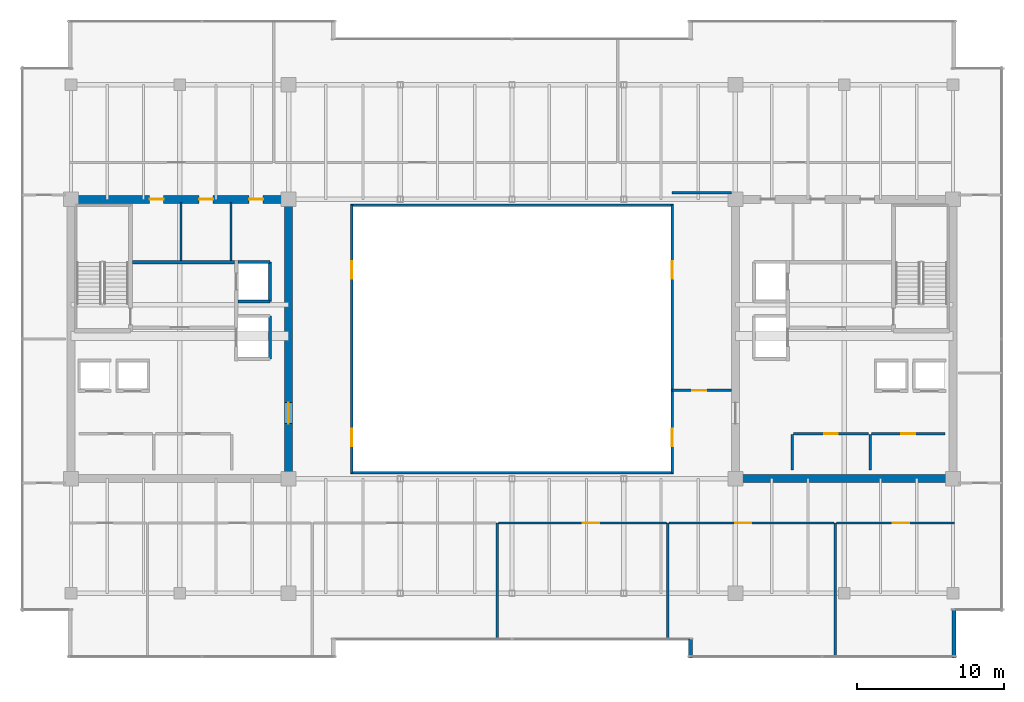
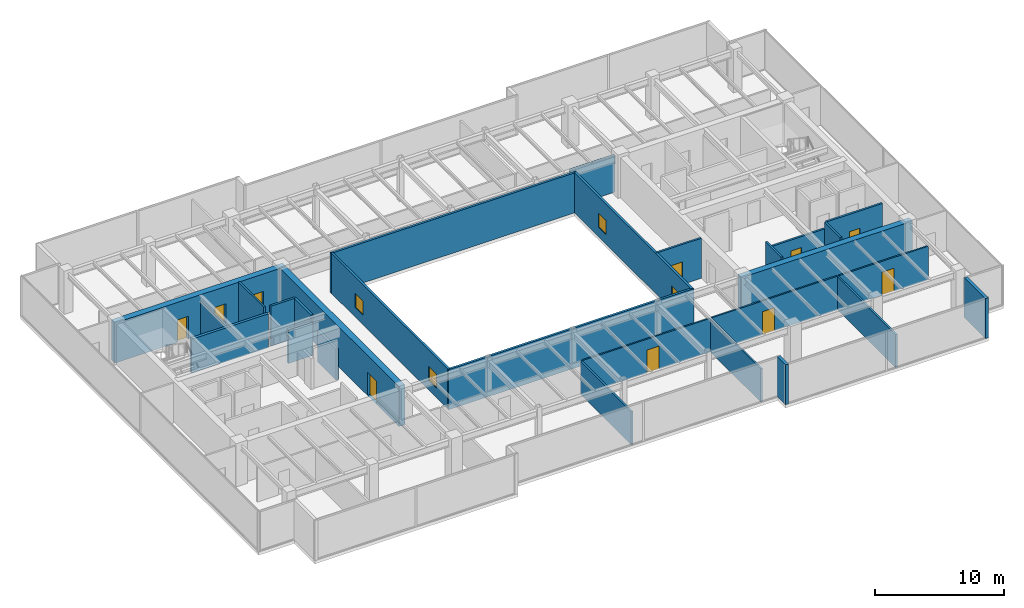
# One storey, part 29 of 33: 28 walls, 10 doors, 4 windows, 14 openings.
"""IFC4 building model written with IfcOpenShell, lengths in metres."""

from ifc_helpers import new_model, si_unit, direction, frame, frame_2d, origin, place, context, subcontext, project, spatial, rectangle, extrude, source, transform, mapped, material, layer, layer_set, type_object, type_shapes, element, fill, save


model = new_model("IFC4")

# Units and contexts
model_context = context("Model", 3, precision=1e-05, world=origin(), true_north=direction((0.0, 1.0)))
body_context = subcontext(model_context, "Body", "Model", "MODEL_VIEW")
ifc_project = project(units=[si_unit("LENGTHUNIT", "METRE"), si_unit("AREAUNIT", "SQUARE_METRE"), si_unit("VOLUMEUNIT", "CUBIC_METRE"), si_unit("PLANEANGLEUNIT", "RADIAN"), si_unit("MASSUNIT", "GRAM", prefix="KILO")], contexts=[model_context])

# Site, building, storey
site_placement = place(None, origin())
site = spatial("IfcSite", under=ifc_project, at=site_placement, CompositionType="ELEMENT")
building_placement = place(site_placement, origin())
building = spatial("IfcBuilding", under=site, at=building_placement, Name="Haelvirn Gate Laboratories", CompositionType="ELEMENT")
storey_placement = place(building_placement, frame((0.0, 0.0, 238.300048828125)))
storey = spatial("IfcBuildingStorey", under=building, at=storey_placement, Name="L57", CompositionType="ELEMENT", Elevation=238.300048828125)

# Walls
ifc_material_1 = material(Name="Thermally-broken bronze aluminium rainscreen & mineral wool", Category="aluminium")
ifc_layer_1 = layer(ifc_material_1, 0.280029296875, Name="EW-TERR-280")
ifc_layer_set_1 = layer_set([ifc_layer_1], Name="Thermally-broken bronze aluminium rainscreen & mineral wool")
wall_type_1 = type_object("IfcWallType", Name="EW-TERR-280", PredefinedType="STANDARD", material=ifc_layer_set_1)
wall_1_placement = place(storey_placement, frame((49.5400390625, 3.89306640625, 0.0), z_axis=(0.0, 0.0, 1.0), x_axis=(0.0, -1.0, 0.0)))
element("IfcWall", 1, at=wall_1_placement, inside=storey, type_object=wall_type_1, Name="L57 Atrium Recess Bronze Return Wall 03", PredefinedType="STANDARD", context=body_context, shape_type="SweptSolid", body=[
    extrude(rectangle(XDim=1.29296875, YDim=0.280029296875, at=frame_2d((0.646484375, 0.0))), origin(), (0.0, 0.0, 1.0), 3.800048828125),
])
wall_2_placement = place(storey_placement, frame((67.4599609375, 2.60009765625, 0.0), z_axis=(0.0, 0.0, 1.0), x_axis=(0.0, 1.0, 0.0)))
element("IfcWall", 2, at=wall_2_placement, inside=storey, type_object=wall_type_1, Name="L57 Atrium Recess Bronze Return Wall 05", PredefinedType="STANDARD", context=body_context, shape_type="SweptSolid", body=[
    extrude(rectangle(XDim=3.287841796875, YDim=0.280029296875, at=frame_2d((1.64404296875, 0.0))), origin(), (0.0, 0.0, 1.0), 3.800048828125),
])
ifc_material_2 = material(Name="Double-layer acoustic gypsum laboratory partition", Category="gypsum")
ifc_layer_2 = layer(ifc_material_2, 0.159912109375, Name="IW-ACOUST-160")
ifc_layer_set_2 = layer_set([ifc_layer_2], Name="Double-layer acoustic gypsum laboratory partition")
wall_type_2 = type_object("IfcWallType", Name="IW-ACOUST-160", PredefinedType="PARTITIONING", material=ifc_layer_set_2)
for number, where, z_axis, x_axis, name in (
    (3, (36.39990234375, 3.909912109375, 0.0), (0.0, 0.0, 1.0), (0.0, 1.0, 0.0), "L57 Interior Wall IW-L57-SDIV-03"),
    (4, (48.0, 3.909912109375, 0.0), (0.0, 0.0, 1.0), (0.0, 1.0, 0.0), "L57 Interior Wall IW-L57-SDIV-04"),
):
    element("IfcWall", number, at=place(storey_placement, frame(where, z_axis=z_axis, x_axis=x_axis)), inside=storey, type_object=wall_type_2, Name=name, PredefinedType="PARTITIONING", context=body_context, shape_type="SweptSolid", body=[
        extrude(rectangle(XDim=7.880126953125, YDim=0.159912109375, at=frame_2d((3.93994140625, 0.0))), origin(), (0.0, 0.0, 1.0), 3.135009765625),
    ])
wall_3_placement = place(storey_placement, frame((59.39990234375, 2.7099609375, 0.0), z_axis=(0.0, 0.0, 1.0), x_axis=(0.0, 1.0, 0.0)))
element("IfcWall", 5, at=wall_3_placement, inside=storey, type_object=wall_type_2, Name="L57 Interior Wall IW-L57-SDIV-05", PredefinedType="PARTITIONING", context=body_context, shape_type="SweptSolid", body=[
    extrude(rectangle(XDim=9.080078125, YDim=0.159912109375, at=frame_2d((4.5400390625, 0.0))), origin(), (0.0, 0.0, 1.0), 3.135009765625),
])
ifc_material_3 = material(Name="Fire-rated acoustic gypsum board partition", Category="gypsum")
ifc_layer_3 = layer(ifc_material_3, 0.175048828125, Name="IW-ACOUST-180")
ifc_layer_set_3 = layer_set([ifc_layer_3], Name="Fire-rated acoustic gypsum board partition")
wall_type_3 = type_object("IfcWallType", Name="IW-ACOUST-180", PredefinedType="PARTITIONING", material=ifc_layer_set_3)
wall_4_placement = place(storey_placement, frame((48.300048828125, 34.260009765625, 0.0), z_axis=(0.0, 0.0, 1.0), x_axis=(1.0, 0.0, 0.0)))
element("IfcWall", 6, at=wall_4_placement, inside=storey, type_object=wall_type_3, Name="L57 Interior Wall IW-L57-EPOD-N", PredefinedType="PARTITIONING", context=body_context, shape_type="SweptSolid", body=[
    extrude(rectangle(XDim=4.02490234375, YDim=0.175048828125, at=frame_2d((2.012451171875, 0.0))), origin(), (0.0, 0.0, 1.0), 3.48486328125),
])

# Wall, opening, door
wall_5_placement = place(storey_placement, frame((48.300048828125, 20.800048828125, 0.0), z_axis=(0.0, 0.0, 1.0), x_axis=(1.0, 0.0, 0.0)))
wall_5 = element("IfcWall", 7, at=wall_5_placement, inside=storey, type_object=wall_type_3, Name="L57 Interior Wall IW-L57-EPOD-S", PredefinedType="PARTITIONING", context=body_context, shape_type="SweptSolid", body=[
    extrude(rectangle(XDim=4.02490234375, YDim=0.175048828125, at=frame_2d((2.012451171875, 0.0))), origin(), (0.0, 0.0, 1.0), 3.800048828125),
])
opening_1_placement = place(wall_5_placement, frame((1.35009765625, 0.0, 0.0)))
opening_1 = element("IfcOpeningElement", 8, at=opening_1_placement, cuts=wall_5, Name="Opening FD4", PredefinedType="OPENING", context=body_context, shape_type="SweptSolid", body=[
    extrude(rectangle(XDim=0.949951171875, YDim=2.14990234375, at=frame_2d((0.47509765625, 1.074951171875))), frame((0.0, 0.09765625, 0.0), z_axis=(0.0, -1.0, 0.0), x_axis=(1.0, 0.0, 0.0)), (0.0, 0.0, 1.0), 0.195068359375),
])
ifc_material_4 = material(Name="Fire-rated steel SM355 core service door", Category="steel")
door_type_1 = type_object("IfcDoorType", Name="DR-FD-950", OperationType="NOTDEFINED", PredefinedType="DOOR", material=ifc_material_4)
shared_shape_1 = source(origin(), body_context, "Body", "SweptSolid", [
    extrude(rectangle(XDim=0.949951171875, YDim=2.14990234375, at=frame_2d((0.47509765625, 1.074951171875))), frame((0.0, 0.02490234375, 0.0), z_axis=(0.0, -1.0, 0.0), x_axis=(1.0, 0.0, 0.0)), (0.0, 0.0, 1.0), 0.050048828125),
])
type_shapes(door_type_1, [shared_shape_1])
door_1_placement = place(opening_1_placement, origin())
door_1 = element("IfcDoor", 9, at=door_1_placement, inside=storey, type_object=door_type_1, Name="L57 High-Zone Collaboration Suite Door", OperationType="SINGLE_SWING_LEFT", OverallHeight=2.14990234375, OverallWidth=0.949951171875, PredefinedType="DOOR", context=body_context, shape_type="MappedRepresentation", body=[
    mapped(shared_shape_1, transform((0.0, 0.0, 0.0), scale=1.0)),
])
fill(opening_1, door_1)

# Wall, openings, windows
ifc_material_5 = material(Name="Tempered fire-rated borosilicate glass & anodised aluminium", Category="aluminium")
ifc_layer_4 = layer(ifc_material_5, 0.195068359375, Name="IW-GLAZ-200")
ifc_layer_set_4 = layer_set([ifc_layer_4], Name="Tempered fire-rated borosilicate glass & anodised aluminium")
wall_type_4 = type_object("IfcWallType", Name="IW-GLAZ-200", PredefinedType="SOLIDWALL", material=ifc_layer_set_4)
wall_6_placement = place(storey_placement, frame((26.5, 15.199951171875, 0.0), z_axis=(0.0, 0.0, 1.0), x_axis=(0.0, 1.0, 0.0)))
wall_6 = element("IfcWall", 10, at=wall_6_placement, inside=storey, type_object=wall_type_4, Name="L57 Interior Wall IW-L57-ATRIUM-W", PredefinedType="SOLIDWALL", context=body_context, shape_type="SweptSolid", body=[
    extrude(rectangle(XDim=18.199951171875, YDim=0.195068359375, at=frame_2d((9.10009765625, 0.0))), origin(), (0.0, 0.0, 1.0), 3.800048828125),
])
opening_2_placement = place(wall_6_placement, frame((1.800048828125, 0.0, 0.89990234375)))
opening_2 = element("IfcOpeningElement", 11, at=opening_2_placement, cuts=wall_6, Name="Opening W6", PredefinedType="OPENING", context=body_context, shape_type="SweptSolid", body=[
    extrude(rectangle(XDim=1.199951171875, YDim=1.35009765625, at=frame_2d((0.60009765625, 0.675048828125))), frame((0.0, 0.107421875, 0.0), z_axis=(0.0, -1.0, 0.0), x_axis=(1.0, 0.0, 0.0)), (0.0, 0.0, 1.0), 0.215087890625),
])
opening_3_placement = place(wall_6_placement, frame((13.199951171875, 0.0, 0.89990234375)))
opening_3 = element("IfcOpeningElement", 12, at=opening_3_placement, cuts=wall_6, Name="Opening W6", PredefinedType="OPENING", context=body_context, shape_type="SweptSolid", body=[
    extrude(rectangle(XDim=1.199951171875, YDim=1.35009765625, at=frame_2d((0.60009765625, 0.675048828125))), frame((0.0, 0.107421875, 0.0), z_axis=(0.0, -1.0, 0.0), x_axis=(1.0, 0.0, 0.0)), (0.0, 0.0, 1.0), 0.215087890625),
])
ifc_material_6 = material(Name="Fire-rated EI 120 borosilicate atrium vision glazing", Category="glass")
window_type = type_object("IfcWindowType", Name="WN-ATR-1200", PartitioningType="SINGLE_PANEL", PredefinedType="WINDOW", material=ifc_material_6)
shared_shape_2 = source(origin(), body_context, "Body", "SweptSolid", [
    extrude(rectangle(XDim=1.199951171875, YDim=1.35009765625, at=frame_2d((0.60009765625, 0.675048828125))), frame((0.0, 0.030029296875, 0.0), z_axis=(0.0, -1.0, 0.0), x_axis=(1.0, 0.0, 0.0)), (0.0, 0.0, 1.0), 0.06005859375),
])
type_shapes(window_type, [shared_shape_2])
window_1_placement = place(opening_2_placement, origin())
window_1 = element("IfcWindow", 13, at=window_1_placement, inside=storey, type_object=window_type, Name="L57 Atrium Observation Window 1", OverallHeight=1.35009765625, OverallWidth=1.199951171875, PartitioningType="SINGLE_PANEL", PredefinedType="WINDOW", context=body_context, shape_type="MappedRepresentation", body=[
    mapped(shared_shape_2, transform((0.0, 0.0, 0.0), scale=1.0)),
])
fill(opening_2, window_1)
window_2_placement = place(opening_3_placement, origin())
window_2 = element("IfcWindow", 14, at=window_2_placement, inside=storey, type_object=window_type, Name="L57 Atrium Observation Window 2", OverallHeight=1.35009765625, OverallWidth=1.199951171875, PartitioningType="SINGLE_PANEL", PredefinedType="WINDOW", context=body_context, shape_type="MappedRepresentation", body=[
    mapped(shared_shape_2, transform((0.0, 0.0, 0.0), scale=1.0)),
])
fill(opening_3, window_2)

wall_7_placement = place(storey_placement, frame((48.300048828125, 15.199951171875, 0.0), z_axis=(0.0, 0.0, 1.0), x_axis=(0.0, 1.0, 0.0)))
wall_7 = element("IfcWall", 15, at=wall_7_placement, inside=storey, type_object=wall_type_4, Name="L57 Interior Wall IW-L57-ATRIUM-E", PredefinedType="SOLIDWALL", context=body_context, shape_type="SweptSolid", body=[
    extrude(rectangle(XDim=18.199951171875, YDim=0.195068359375, at=frame_2d((9.10009765625, 0.0))), origin(), (0.0, 0.0, 1.0), 3.800048828125),
])
opening_4_placement = place(wall_7_placement, frame((1.800048828125, 0.0, 0.89990234375)))
opening_4 = element("IfcOpeningElement", 16, at=opening_4_placement, cuts=wall_7, Name="Opening W6", PredefinedType="OPENING", context=body_context, shape_type="SweptSolid", body=[
    extrude(rectangle(XDim=1.199951171875, YDim=1.35009765625, at=frame_2d((0.60009765625, 0.675048828125))), frame((0.0, 0.107421875, 0.0), z_axis=(0.0, -1.0, 0.0), x_axis=(1.0, 0.0, 0.0)), (0.0, 0.0, 1.0), 0.215087890625),
])
opening_5_placement = place(wall_7_placement, frame((13.199951171875, 0.0, 0.89990234375)))
opening_5 = element("IfcOpeningElement", 17, at=opening_5_placement, cuts=wall_7, Name="Opening W6", PredefinedType="OPENING", context=body_context, shape_type="SweptSolid", body=[
    extrude(rectangle(XDim=1.199951171875, YDim=1.35009765625, at=frame_2d((0.60009765625, 0.675048828125))), frame((0.0, 0.107421875, 0.0), z_axis=(0.0, -1.0, 0.0), x_axis=(1.0, 0.0, 0.0)), (0.0, 0.0, 1.0), 0.215087890625),
])
window_3_placement = place(opening_4_placement, origin())
window_3 = element("IfcWindow", 18, at=window_3_placement, inside=storey, type_object=window_type, Name="L57 Atrium Observation Window 1", OverallHeight=1.35009765625, OverallWidth=1.199951171875, PartitioningType="SINGLE_PANEL", PredefinedType="WINDOW", context=body_context, shape_type="MappedRepresentation", body=[
    mapped(shared_shape_2, transform((0.0, 0.0, 0.0), scale=1.0)),
])
fill(opening_4, window_3)
window_4_placement = place(opening_5_placement, origin())
window_4 = element("IfcWindow", 19, at=window_4_placement, inside=storey, type_object=window_type, Name="L57 Atrium Observation Window 2", OverallHeight=1.35009765625, OverallWidth=1.199951171875, PartitioningType="SINGLE_PANEL", PredefinedType="WINDOW", context=body_context, shape_type="MappedRepresentation", body=[
    mapped(shared_shape_2, transform((0.0, 0.0, 0.0), scale=1.0)),
])
fill(opening_5, window_4)

# Walls
for number, where, z_axis, x_axis, name in (
    (20, (26.39990234375, 15.199951171875, 0.0), (0.0, 0.0, 1.0), (1.0, 0.0, 0.0), "L57 Interior Wall IW-L57-ATRIUM-S"),
    (21, (26.39990234375, 33.39990234375, 0.0), (0.0, 0.0, 1.0), (1.0, 0.0, 0.0), "L57 Interior Wall IW-L57-ATRIUM-N"),
):
    element("IfcWall", number, at=place(storey_placement, frame(where, z_axis=z_axis, x_axis=x_axis)), inside=storey, type_object=wall_type_4, Name=name, PredefinedType="SOLIDWALL", context=body_context, shape_type="SweptSolid", body=[
        extrude(rectangle(XDim=22.0, YDim=0.195068359375, at=frame_2d((11.0, 0.0))), origin(), (0.0, 0.0, 1.0), 3.800048828125),
    ])

# Wall, opening, door
ifc_material_7 = material(Name="Acoustic mineral-wool gypsum board partition", Category="gypsum")
ifc_layer_5 = layer(ifc_material_7, 0.139892578125, Name="IW-PART-140")
ifc_layer_set_5 = layer_set([ifc_layer_5], Name="Acoustic mineral-wool gypsum board partition")
wall_type_5 = type_object("IfcWallType", Name="IW-PART-140", PredefinedType="PARTITIONING", material=ifc_layer_set_5)
wall_8_placement = place(storey_placement, frame((36.47998046875, 11.7900390625, 0.0), z_axis=(0.0, 0.0, 1.0), x_axis=(1.0, 0.0, 0.0)))
wall_8 = element("IfcWall", 22, at=wall_8_placement, inside=storey, type_object=wall_type_5, Name="L57 Interior Wall IW-L57-SCORR-04", PredefinedType="PARTITIONING", context=body_context, shape_type="SweptSolid", body=[
    extrude(rectangle(XDim=11.43994140625, YDim=0.139892578125, at=frame_2d((5.719970703125, 0.0))), origin(), (0.0, 0.0, 1.0), 3.197021484375),
])
opening_6_placement = place(wall_8_placement, frame((5.748291015625, 0.0, 0.0)))
opening_6 = element("IfcOpeningElement", 23, at=opening_6_placement, cuts=wall_8, Name="Opening D1", PredefinedType="OPENING", context=body_context, shape_type="SweptSolid", body=[
    extrude(rectangle(XDim=1.10009765625, YDim=2.179931640625, at=frame_2d((0.550048828125, 1.08984375))), frame((0.0, 0.080078125, 0.0), z_axis=(0.0, -1.0, 0.0), x_axis=(1.0, 0.0, 0.0)), (0.0, 0.0, 1.0), 0.159912109375),
])
ifc_material_8 = material(Name="Vision-panel acoustic solid-core timber lab door", Category="wood")
door_type_2 = type_object("IfcDoorType", Name="DR-LAB-1100", OperationType="NOTDEFINED", PredefinedType="DOOR", material=ifc_material_8)
shared_shape_3 = source(origin(), body_context, "Body", "SweptSolid", [
    extrude(rectangle(XDim=1.10009765625, YDim=2.179931640625, at=frame_2d((0.550048828125, 1.08984375))), frame((0.0, 0.02490234375, 0.0), z_axis=(0.0, -1.0, 0.0), x_axis=(1.0, 0.0, 0.0)), (0.0, 0.0, 1.0), 0.050048828125),
])
type_shapes(door_type_2, [shared_shape_3])
door_2_placement = place(opening_6_placement, origin())
door_2 = element("IfcDoor", 24, at=door_2_placement, inside=storey, type_object=door_type_2, Name="L57 Colloquium Conference Room Door S4", OperationType="SINGLE_SWING_LEFT", OverallHeight=2.179931640625, OverallWidth=1.10009765625, PredefinedType="DOOR", context=body_context, shape_type="MappedRepresentation", body=[
    mapped(shared_shape_3, transform((0.0, 0.0, 0.0), scale=1.0)),
])
fill(opening_6, door_2)

wall_9_placement = place(storey_placement, frame((48.080078125, 11.7900390625, 0.0), z_axis=(0.0, 0.0, 1.0), x_axis=(1.0, 0.0, 0.0)))
wall_9 = element("IfcWall", 25, at=wall_9_placement, inside=storey, type_object=wall_type_5, Name="L57 Interior Wall IW-L57-SCORR-05", PredefinedType="PARTITIONING", context=body_context, shape_type="SweptSolid", body=[
    extrude(rectangle(XDim=11.239990234375, YDim=0.139892578125, at=frame_2d((5.6201171875, 0.0))), origin(), (0.0, 0.0, 1.0), 3.197021484375),
])
opening_7_placement = place(wall_9_placement, frame((4.503662109375, 0.0, 0.0)))
opening_7 = element("IfcOpeningElement", 26, at=opening_7_placement, cuts=wall_9, Name="Opening D1", PredefinedType="OPENING", context=body_context, shape_type="SweptSolid", body=[
    extrude(rectangle(XDim=1.10009765625, YDim=2.179931640625, at=frame_2d((0.550048828125, 1.08984375))), frame((0.0, 0.080078125, 0.0), z_axis=(0.0, -1.0, 0.0), x_axis=(1.0, 0.0, 0.0)), (0.0, 0.0, 1.0), 0.159912109375),
])
door_3_placement = place(opening_7_placement, origin())
door_3 = element("IfcDoor", 27, at=door_3_placement, inside=storey, type_object=door_type_2, Name="L57 Protocol Briefing Training Room Door S5", OperationType="SINGLE_SWING_RIGHT", OverallHeight=2.179931640625, OverallWidth=1.10009765625, PredefinedType="DOOR", context=body_context, shape_type="MappedRepresentation", body=[
    mapped(shared_shape_3, transform((0.0, 0.0, 0.0), scale=1.0)),
])
fill(opening_7, door_3)

wall_10_placement = place(storey_placement, frame((59.47998046875, 11.7900390625, 0.0), z_axis=(0.0, 0.0, 1.0), x_axis=(1.0, 0.0, 0.0)))
wall_10 = element("IfcWall", 28, at=wall_10_placement, inside=storey, type_object=wall_type_5, Name="L57 Interior Wall IW-L57-SCORR-06", PredefinedType="PARTITIONING", context=body_context, shape_type="SweptSolid", body=[
    extrude(rectangle(XDim=8.010009765625, YDim=0.139892578125, at=frame_2d((4.0048828125, 0.0))), origin(), (0.0, 0.0, 1.0), 3.197021484375),
])
opening_8_placement = place(wall_10_placement, frame((3.82763671875, 0.0, 0.0)))
opening_8 = element("IfcOpeningElement", 29, at=opening_8_placement, cuts=wall_10, Name="Opening D1", PredefinedType="OPENING", context=body_context, shape_type="SweptSolid", body=[
    extrude(rectangle(XDim=1.10009765625, YDim=2.179931640625, at=frame_2d((0.550048828125, 1.08984375))), frame((0.0, 0.080078125, 0.0), z_axis=(0.0, -1.0, 0.0), x_axis=(1.0, 0.0, 0.0)), (0.0, 0.0, 1.0), 0.159912109375),
])
door_4_placement = place(opening_8_placement, origin())
door_4 = element("IfcDoor", 30, at=door_4_placement, inside=storey, type_object=door_type_2, Name="L57 Peer-Review Seminar Room Door S6", OperationType="SINGLE_SWING_LEFT", OverallHeight=2.179931640625, OverallWidth=1.10009765625, PredefinedType="DOOR", context=body_context, shape_type="MappedRepresentation", body=[
    mapped(shared_shape_3, transform((0.0, 0.0, 0.0), scale=1.0)),
])
fill(opening_8, door_4)

# Walls
ifc_material_9 = material(Name="Cement-board restroom plumbing chase wall", Category="gypsum")
ifc_layer_6 = layer(ifc_material_9, 0.155029296875, Name="IW-PLUMB-160")
ifc_layer_set_6 = layer_set([ifc_layer_6], Name="Cement-board restroom plumbing chase wall")
wall_type_6 = type_object("IfcWallType", Name="IW-PLUMB-160", PredefinedType="PLUMBINGWALL", material=ifc_layer_set_6)
wall_11_placement = place(storey_placement, frame((14.889892578125, 29.64990234375, 0.0), z_axis=(0.0, 0.0, 1.0), x_axis=(0.0, 1.0, 0.0)))
element("IfcWall", 31, at=wall_11_placement, inside=storey, type_object=wall_type_6, Name="L57 Interior Wall IW-L57-W-CDIV-1", PredefinedType="PLUMBINGWALL", context=body_context, shape_type="SweptSolid", body=[
    extrude(rectangle(XDim=3.93017578125, YDim=0.155029296875, at=frame_2d((1.965087890625, 0.0))), origin(), (0.0, 0.0, 1.0), 3.197021484375),
])
wall_12_placement = place(storey_placement, frame((18.2900390625, 29.64990234375, 0.0), z_axis=(0.0, 0.0, 1.0), x_axis=(0.0, 1.0, 0.0)))
element("IfcWall", 32, at=wall_12_placement, inside=storey, type_object=wall_type_6, Name="L57 Interior Wall IW-L57-W-CDIV-2", PredefinedType="PLUMBINGWALL", context=body_context, shape_type="SweptSolid", body=[
    extrude(rectangle(XDim=3.93017578125, YDim=0.155029296875, at=frame_2d((1.965087890625, 0.0))), origin(), (0.0, 0.0, 1.0), 3.800048828125),
])

# Wall, opening, door
ifc_material_10 = material(Name="Concrete C40/50", Category="concrete")
ifc_layer_7 = layer(ifc_material_10, 0.179931640625, Name="IW-SHAFT-180")
ifc_layer_set_7 = layer_set([ifc_layer_7], Name="Concrete C40/50")
wall_type_7 = type_object("IfcWallType", Name="IW-SHAFT-180", PredefinedType="SOLIDWALL", material=ifc_layer_set_7)
wall_13_placement = place(storey_placement, frame((61.85009765625, 17.85009765625, 0.0), z_axis=(0.0, 0.0, 1.0), x_axis=(1.0, 0.0, 0.0)))
wall_13 = element("IfcWall", 33, at=wall_13_placement, inside=storey, type_object=wall_type_7, Name="L57 Interior Wall IW-L57-E-FREED-HN-1", PredefinedType="SOLIDWALL", context=body_context, shape_type="SweptSolid", body=[
    extrude(rectangle(XDim=5.0, YDim=0.179931640625, at=frame_2d((2.5, 0.0))), origin(), (0.0, 0.0, 1.0), 3.800048828125),
])
opening_9_placement = place(wall_13_placement, frame((2.02490234375, 0.0, 0.0)))
opening_9 = element("IfcOpeningElement", 34, at=opening_9_placement, cuts=wall_13, Name="Opening FD4", PredefinedType="OPENING", context=body_context, shape_type="SweptSolid", body=[
    extrude(rectangle(XDim=0.949951171875, YDim=2.14990234375, at=frame_2d((0.47509765625, 1.074951171875))), frame((0.0, 0.10009765625, 0.0), z_axis=(0.0, -1.0, 0.0), x_axis=(1.0, 0.0, 0.0)), (0.0, 0.0, 1.0), 0.199951171875),
])
door_5_placement = place(opening_9_placement, origin())
door_5 = element("IfcDoor", 35, at=door_5_placement, inside=storey, type_object=door_type_1, Name="L57 Cryogenic Specimen Biobank Door", OperationType="SINGLE_SWING_LEFT", OverallHeight=2.14990234375, OverallWidth=0.949951171875, PredefinedType="DOOR", context=body_context, shape_type="MappedRepresentation", body=[
    mapped(shared_shape_1, transform((0.0, 0.0, 0.0), scale=1.0)),
])
fill(opening_9, door_5)

# Wall
wall_14_placement = place(storey_placement, frame((61.760009765625, 15.39990234375, 0.0), z_axis=(0.0, 0.0, 1.0), x_axis=(0.0, 1.0, 0.0)))
element("IfcWall", 36, at=wall_14_placement, inside=storey, type_object=wall_type_7, Name="L57 Interior Wall IW-L57-E-FREED-HE-1", PredefinedType="SOLIDWALL", context=body_context, shape_type="SweptSolid", body=[
    extrude(rectangle(XDim=2.400146484375, YDim=0.179931640625, at=frame_2d((1.2001953125, 0.0))), origin(), (0.0, 0.0, 1.0), 3.800048828125),
])

# Wall, opening, door
wall_15_placement = place(storey_placement, frame((56.550048828125, 17.85009765625, 0.0), z_axis=(0.0, 0.0, 1.0), x_axis=(1.0, 0.0, 0.0)))
wall_15 = element("IfcWall", 37, at=wall_15_placement, inside=storey, type_object=wall_type_7, Name="L57 Interior Wall IW-L57-E-FREED-HN-2", PredefinedType="SOLIDWALL", context=body_context, shape_type="SweptSolid", body=[
    extrude(rectangle(XDim=5.099853515625, YDim=0.179931640625, at=frame_2d((2.5498046875, 0.0))), origin(), (0.0, 0.0, 1.0), 3.197021484375),
])
opening_10_placement = place(wall_15_placement, frame((2.074951171875, 0.0, 0.0)))
opening_10 = element("IfcOpeningElement", 38, at=opening_10_placement, cuts=wall_15, Name="Opening FD4", PredefinedType="OPENING", context=body_context, shape_type="SweptSolid", body=[
    extrude(rectangle(XDim=0.949951171875, YDim=2.14990234375, at=frame_2d((0.47509765625, 1.074951171875))), frame((0.0, 0.10009765625, 0.0), z_axis=(0.0, -1.0, 0.0), x_axis=(1.0, 0.0, 0.0)), (0.0, 0.0, 1.0), 0.199951171875),
])
door_6_placement = place(opening_10_placement, origin())
door_6 = element("IfcDoor", 39, at=door_6_placement, inside=storey, type_object=door_type_1, Name="L57 Cryo-Assay Preparation Laboratory Door", OperationType="SINGLE_SWING_RIGHT", OverallHeight=2.14990234375, OverallWidth=0.949951171875, PredefinedType="DOOR", context=body_context, shape_type="MappedRepresentation", body=[
    mapped(shared_shape_1, transform((0.0, 0.0, 0.0), scale=1.0)),
])
fill(opening_10, door_6)

# Walls
wall_16_placement = place(storey_placement, frame((56.4599609375, 15.39990234375, 0.0), z_axis=(0.0, 0.0, 1.0), x_axis=(0.0, 1.0, 0.0)))
element("IfcWall", 40, at=wall_16_placement, inside=storey, type_object=wall_type_7, Name="L57 Interior Wall IW-L57-E-FREED-HE-2", PredefinedType="SOLIDWALL", context=body_context, shape_type="SweptSolid", body=[
    extrude(rectangle(XDim=2.400146484375, YDim=0.179931640625, at=frame_2d((1.2001953125, 0.0))), origin(), (0.0, 0.0, 1.0), 3.800048828125),
])
ifc_layer_8 = layer(ifc_material_10, 0.199951171875, Name="IW-SHAFT-200")
ifc_layer_set_8 = layer_set([ifc_layer_8], Name="Concrete C40/50")
wall_type_8 = type_object("IfcWallType", Name="IW-SHAFT-200", PredefinedType="SOLIDWALL", material=ifc_layer_set_8)
wall_17_placement = place(storey_placement, frame((20.949951171875, 26.85009765625, 0.0), z_axis=(0.0, 0.0, 1.0), x_axis=(0.0, 1.0, 0.0)))
element("IfcWall", 41, at=wall_17_placement, inside=storey, type_object=wall_type_8, Name="L57 Interior Wall IW-L57-FL1-BK", PredefinedType="SOLIDWALL", context=body_context, shape_type="SweptSolid", body=[
    extrude(rectangle(XDim=2.699951171875, YDim=0.199951171875, at=frame_2d((1.35009765625, 0.0))), origin(), (0.0, 0.0, 1.0), 3.800048828125),
])
wall_18_placement = place(storey_placement, frame((18.760009765625, 29.550048828125, 0.0), z_axis=(0.0, 0.0, 1.0), x_axis=(1.0, 0.0, 0.0)))
element("IfcWall", 42, at=wall_18_placement, inside=storey, type_object=wall_type_8, Name="L57 Interior Wall IW-L57-FL1-N", PredefinedType="SOLIDWALL", context=body_context, shape_type="SweptSolid", body=[
    extrude(rectangle(XDim=2.18994140625, YDim=0.199951171875, at=frame_2d((1.094970703125, 0.0))), origin(), (0.0, 0.0, 1.0), 3.800048828125),
])
wall_19_placement = place(storey_placement, frame((18.760009765625, 26.85009765625, 0.0), z_axis=(0.0, 0.0, 1.0), x_axis=(1.0, 0.0, 0.0)))
element("IfcWall", 43, at=wall_19_placement, inside=storey, type_object=wall_type_8, Name="L57 Interior Wall IW-L57-FL1-S", PredefinedType="SOLIDWALL", context=body_context, shape_type="SweptSolid", body=[
    extrude(rectangle(XDim=2.18994140625, YDim=0.199951171875, at=frame_2d((1.094970703125, 0.0))), origin(), (0.0, 0.0, 1.0), 3.197021484375),
])
wall_20_placement = place(storey_placement, frame((20.949951171875, 22.949951171875, 0.0), z_axis=(0.0, 0.0, 1.0), x_axis=(0.0, 1.0, 0.0)))
element("IfcWall", 44, at=wall_20_placement, inside=storey, type_object=wall_type_8, Name="L57 Interior Wall IW-L57-SL1-BK", PredefinedType="SOLIDWALL", context=body_context, shape_type="SweptSolid", body=[
    extrude(rectangle(XDim=2.900146484375, YDim=0.199951171875, at=frame_2d((1.4501953125, 0.0))), origin(), (0.0, 0.0, 1.0), 2.93505859375),
])
ifc_layer_9 = layer(ifc_material_10, 0.239990234375, Name="IW-SHAFT-240")
ifc_layer_set_9 = layer_set([ifc_layer_9], Name="Concrete C40/50")
wall_type_9 = type_object("IfcWallType", Name="IW-SHAFT-240", PredefinedType="SOLIDWALL", material=ifc_layer_set_9)
wall_21_placement = place(storey_placement, frame((11.60009765625, 29.52001953125, 0.0), z_axis=(0.0, 0.0, 1.0), x_axis=(1.0, 0.0, 0.0)))
element("IfcWall", 45, at=wall_21_placement, inside=storey, type_object=wall_type_9, Name="L57 Interior Wall IW-L57-W-FF-N", PredefinedType="SOLIDWALL", context=body_context, shape_type="SweptSolid", body=[
    extrude(rectangle(XDim=6.919921875, YDim=0.239990234375, at=frame_2d((3.4599609375, 0.0))), origin(), (0.0, 0.0, 1.0), 3.197021484375),
])

# Wall, openings, doors
ifc_material_11 = material(Name="Concrete C50/60", Category="concrete")
ifc_layer_10 = layer(ifc_material_11, 0.550048828125, Name="SW-CORE-550")
ifc_layer_set_10 = layer_set([ifc_layer_10], Name="Concrete C50/60")
wall_type_10 = type_object("IfcWallType", Name="SW-CORE-550", PredefinedType="SHEAR", material=ifc_layer_set_10)
wall_22_placement = place(storey_placement, frame((7.125, 33.800048828125, 0.0), z_axis=(0.0, 0.0, 1.0), x_axis=(1.0, 0.0, 0.0)))
wall_22 = element("IfcWall", 46, at=wall_22_placement, inside=storey, type_object=wall_type_10, Name="L57 W Core Shear Wall N", PredefinedType="SHEAR", context=body_context, shape_type="SweptSolid", body=[
    extrude(rectangle(XDim=15.35009765625, YDim=0.550048828125, at=frame_2d((7.675048828125, 0.0))), origin(), (0.0, 0.0, 1.0), 3.800048828125),
])
opening_11_placement = place(wall_22_placement, frame((5.625, 0.0, 0.0)))
opening_11 = element("IfcOpeningElement", 47, at=opening_11_placement, cuts=wall_22, Name="Opening FD4", PredefinedType="OPENING", context=body_context, shape_type="SweptSolid", body=[
    extrude(rectangle(XDim=0.949951171875, YDim=2.14990234375, at=frame_2d((0.47509765625, 1.074951171875))), frame((0.0, 0.28515625, 0.0), z_axis=(0.0, -1.0, 0.0), x_axis=(1.0, 0.0, 0.0)), (0.0, 0.0, 1.0), 0.570068359375),
])
opening_12_placement = place(wall_22_placement, frame((8.989990234375, 0.0, 0.0)))
opening_12 = element("IfcOpeningElement", 48, at=opening_12_placement, cuts=wall_22, Name="Opening FD4", PredefinedType="OPENING", context=body_context, shape_type="SweptSolid", body=[
    extrude(rectangle(XDim=0.949951171875, YDim=2.14990234375, at=frame_2d((0.47509765625, 1.074951171875))), frame((0.0, 0.28515625, 0.0), z_axis=(0.0, -1.0, 0.0), x_axis=(1.0, 0.0, 0.0)), (0.0, 0.0, 1.0), 0.570068359375),
])
opening_13_placement = place(wall_22_placement, frame((12.389892578125, 0.0, 0.0)))
opening_13 = element("IfcOpeningElement", 49, at=opening_13_placement, cuts=wall_22, Name="Opening FD4", PredefinedType="OPENING", context=body_context, shape_type="SweptSolid", body=[
    extrude(rectangle(XDim=0.949951171875, YDim=2.14990234375, at=frame_2d((0.47509765625, 1.074951171875))), frame((0.0, 0.28515625, 0.0), z_axis=(0.0, -1.0, 0.0), x_axis=(1.0, 0.0, 0.0)), (0.0, 0.0, 1.0), 0.570068359375),
])
door_7_placement = place(opening_11_placement, origin())
door_7 = element("IfcDoor", 50, at=door_7_placement, inside=storey, type_object=door_type_1, Name="L57 Male Restroom Fire Door", OperationType="SINGLE_SWING_RIGHT", OverallHeight=2.14990234375, OverallWidth=0.949951171875, PredefinedType="DOOR", context=body_context, shape_type="MappedRepresentation", body=[
    mapped(shared_shape_1, transform((0.0, 0.0, 0.0), scale=1.0)),
])
fill(opening_11, door_7)
door_8_placement = place(opening_12_placement, origin())
door_8 = element("IfcDoor", 51, at=door_8_placement, inside=storey, type_object=door_type_1, Name="L57 Female Restroom Fire Door", OperationType="SINGLE_SWING_LEFT", OverallHeight=2.14990234375, OverallWidth=0.949951171875, PredefinedType="DOOR", context=body_context, shape_type="MappedRepresentation", body=[
    mapped(shared_shape_1, transform((0.0, 0.0, 0.0), scale=1.0)),
])
fill(opening_12, door_8)
door_9_placement = place(opening_13_placement, origin())
door_9 = element("IfcDoor", 52, at=door_9_placement, inside=storey, type_object=door_type_1, Name="L57 Accessible Restroom Fire Door", OperationType="SINGLE_SWING_RIGHT", OverallHeight=2.14990234375, OverallWidth=0.949951171875, PredefinedType="DOOR", context=body_context, shape_type="MappedRepresentation", body=[
    mapped(shared_shape_1, transform((0.0, 0.0, 0.0), scale=1.0)),
])
fill(opening_13, door_9)

# Wall, opening, door
wall_23_placement = place(storey_placement, frame((22.199951171875, 15.074951171875, 0.0), z_axis=(0.0, 0.0, 1.0), x_axis=(0.0, 1.0, 0.0)))
wall_23 = element("IfcWall", 53, at=wall_23_placement, inside=storey, type_object=wall_type_10, Name="L57 W Core Shear Wall E", PredefinedType="SHEAR", context=body_context, shape_type="SweptSolid", body=[
    extrude(rectangle(XDim=18.449951171875, YDim=0.550048828125, at=frame_2d((9.22509765625, 0.0))), origin(), (0.0, 0.0, 1.0), 3.800048828125),
])
opening_14_placement = place(wall_23_placement, frame((3.47509765625, 0.0, 0.0)))
opening_14 = element("IfcOpeningElement", 54, at=opening_14_placement, cuts=wall_23, Name="Opening FD1", PredefinedType="OPENING", context=body_context, shape_type="SweptSolid", body=[
    extrude(rectangle(XDim=1.419921875, YDim=2.199951171875, at=frame_2d((0.7099609375, 1.10009765625))), frame((0.0, 0.28515625, 0.0), z_axis=(0.0, -1.0, 0.0), x_axis=(1.0, 0.0, 0.0)), (0.0, 0.0, 1.0), 0.570068359375),
])
ifc_material_12 = material(Name="Fire-rated double steel SM355 lobby door", Category="steel")
door_type_3 = type_object("IfcDoorType", Name="DR-FD-1400", OperationType="NOTDEFINED", PredefinedType="DOOR", material=ifc_material_12)
shared_shape_4 = source(origin(), body_context, "Body", "SweptSolid", [
    extrude(rectangle(XDim=1.419921875, YDim=2.199951171875, at=frame_2d((0.7099609375, 1.10009765625))), frame((0.0, 0.02490234375, 0.0), z_axis=(0.0, -1.0, 0.0), x_axis=(1.0, 0.0, 0.0)), (0.0, 0.0, 1.0), 0.050048828125),
])
type_shapes(door_type_3, [shared_shape_4])
door_10_placement = place(opening_14_placement, origin())
door_10 = element("IfcDoor", 55, at=door_10_placement, inside=storey, type_object=door_type_3, Name="L57 West Core Lift Lobby Fire Door", OperationType="DOUBLE_DOOR_SINGLE_SWING", OverallHeight=2.199951171875, OverallWidth=1.419921875, PredefinedType="DOOR", context=body_context, shape_type="MappedRepresentation", body=[
    mapped(shared_shape_4, transform((0.0, 0.0, 0.0), scale=1.0)),
])
fill(opening_14, door_10)

# Wall
wall_24_placement = place(storey_placement, frame((52.324951171875, 14.800048828125, 0.0), z_axis=(0.0, 0.0, 1.0), x_axis=(1.0, 0.0, 0.0)))
element("IfcWall", 56, at=wall_24_placement, inside=storey, type_object=wall_type_10, Name="L57 E Core Shear Wall S", PredefinedType="SHEAR", context=body_context, shape_type="SweptSolid", body=[
    extrude(rectangle(XDim=15.35009765625, YDim=0.550048828125, at=frame_2d((7.675048828125, 0.0))), origin(), (0.0, 0.0, 1.0), 3.800048828125),
])

save(model, "model.ifc")
